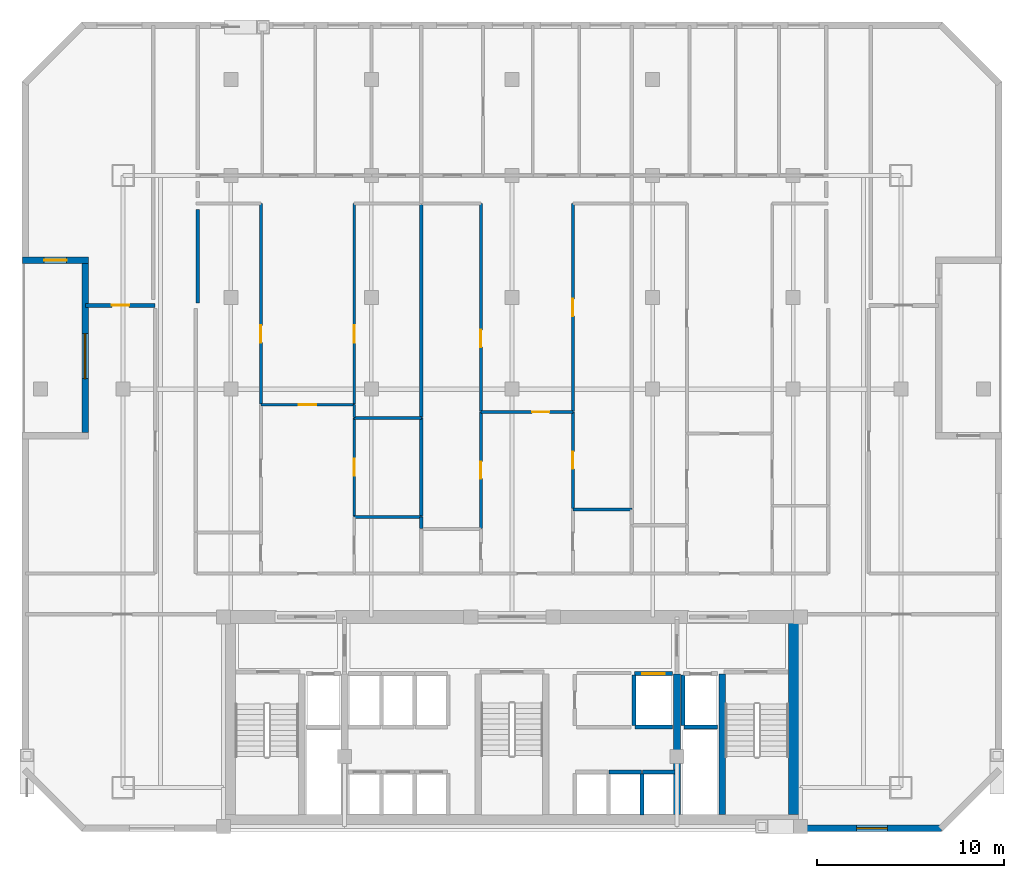
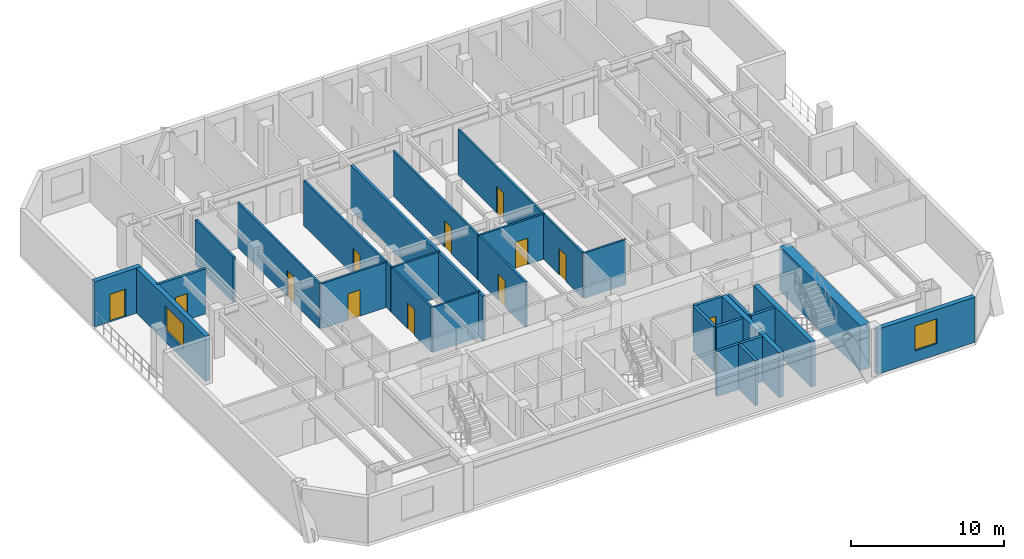
# One storey, part 4 of 10: 32 walls, 12 doors, 2 windows, 14 openings.
"""IFC4 building model written with IfcOpenShell, lengths in metres."""

import ifcopenshell
import ifcopenshell.guid

model = None  # the IFC model being written
_history = None  # IfcOwnerHistory: only IFC2X3 demands one
_inside = {}  # id of a spatial element -> (the spatial element, [elements in it])
_under = {}  # id of a project, library or spatial element -> (it, [spatial elements below it])
_declared = {}  # id of a project -> (the project, [libraries it declares])
_typed = {}  # id of a type object -> (the type object, [elements of that type])
_made_of = {}  # id of a material, layer set ... -> (it, [elements and type objects made of it])


def new_model(schema):
    """Start an empty IFC model of exactly this schema.

    Asked for "IFC4X3", IfcOpenShell would pick the latest addendum, in which some entities
    have other attributes; the version numbers below select the first issue.
    IFC2X3 requires an IfcOwnerHistory on every rooted entity: one is made here for all.
    """
    global model, _history
    if schema == "IFC4X3":
        model = ifcopenshell.file(schema_version=(4, 3, 0, 0))
    else:
        model = ifcopenshell.file(schema=schema)
    _inside.clear()
    _under.clear()
    _declared.clear()
    _typed.clear()
    _made_of.clear()
    _history = None
    if model.schema == "IFC2X3":
        org = make("IfcOrganization", Name="unknown")
        user = make(
            "IfcPersonAndOrganization",
            ThePerson=make("IfcPerson", FamilyName="unknown"),
            TheOrganization=org,
        )
        app = make(
            "IfcApplication",
            ApplicationDeveloper=org,
            Version="unknown",
            ApplicationFullName="unknown",
            ApplicationIdentifier="unknown",
        )
        _history = make(
            "IfcOwnerHistory",
            OwningUser=user,
            OwningApplication=app,
            ChangeAction="ADDED",
            CreationDate=0,
        )
    return model


def make(cls, **values):
    """One entity of the class cls with the attributes given. An attribute that is None is left unset."""
    return model.create_entity(
        cls, **{name: value for name, value in values.items() if value is not None}
    )


def rooted(cls, **values):
    """An entity with a GlobalId (a new one), such as an element, a storey or a relation."""
    return make(cls, GlobalId=ifcopenshell.guid.new(), OwnerHistory=_history, **values)


def si_unit(unit_type, name, prefix=None):
    """IfcSIUnit, for example si_unit("LENGTHUNIT", "METRE", prefix="MILLI")."""
    return make("IfcSIUnit", UnitType=unit_type, Prefix=prefix, Name=name)


def assignment(units):
    """IfcUnitAssignment: the units of a project."""
    return None if units is None else make("IfcUnitAssignment", Units=units)


def point(xyz):
    """IfcCartesianPoint."""
    return None if xyz is None else make("IfcCartesianPoint", Coordinates=xyz)


def direction(xyz):
    """IfcDirection."""
    return None if xyz is None else make("IfcDirection", DirectionRatios=xyz)


def frame(location, z_axis=None, x_axis=None):
    """IfcAxis2Placement3D, a coordinate frame: its origin and axes. An axis left out is left unset."""
    return make(
        "IfcAxis2Placement3D",
        Location=point(location),
        Axis=direction(z_axis),
        RefDirection=direction(x_axis),
    )


def frame_2d(location, x_axis=None):
    """IfcAxis2Placement2D, a coordinate frame in the plane: its origin and x axis."""
    return make(
        "IfcAxis2Placement2D", Location=point(location), RefDirection=direction(x_axis)
    )


def origin():
    """The frame at (0, 0, 0) with its axes left unset."""
    return frame((0.0, 0.0, 0.0))


def place(relative_to, where):
    """IfcLocalPlacement: puts the frame where relative to a parent placement (None: the world)."""
    return make(
        "IfcLocalPlacement", PlacementRelTo=relative_to, RelativePlacement=where
    )


def context(
    kind, dimensions, precision=None, world=None, true_north=None, identifier=None
):
    """IfcGeometricRepresentationContext, for example the 3D "Model" context."""
    return make(
        "IfcGeometricRepresentationContext",
        ContextIdentifier=identifier,
        ContextType=kind,
        CoordinateSpaceDimension=dimensions,
        Precision=precision,
        WorldCoordinateSystem=world,
        TrueNorth=true_north,
    )


def subcontext(parent, identifier, kind, view, scale=None):
    """IfcGeometricRepresentationSubContext, for example "Body" below "Model"."""
    return make(
        "IfcGeometricRepresentationSubContext",
        ContextIdentifier=identifier,
        ContextType=kind,
        ParentContext=parent,
        TargetScale=scale,
        TargetView=view,
    )


def project(units=None, contexts=None):
    """IfcProject with its units and contexts."""
    return rooted(
        "IfcProject",
        Name="project",
        RepresentationContexts=contexts,
        UnitsInContext=assignment(units),
    )


def spatial(cls, under=None, at=None, **own):
    """A site, building, storey or space (cls), placed at a placement, below another one or the project."""
    s = rooted(cls, ObjectPlacement=at, **own)
    if under is not None:
        _under.setdefault(under.id(), (under, []))[1].append(s)
    return s


def profile(cls, at=None, kind="AREA", **sizes):
    """A parametric profile (cls). Its sizes go by their IFC names, for example OverallWidth=200.0."""
    return make(cls, ProfileType=kind, Position=at, **sizes)


def rectangle(**sizes):
    """IfcRectangleProfileDef."""
    return profile("IfcRectangleProfileDef", **sizes)


def extrude(swept, where, along, depth):
    """IfcExtrudedAreaSolid: the profile swept, set in the frame where, extruded along a direction by depth."""
    return make(
        "IfcExtrudedAreaSolid",
        SweptArea=swept,
        Position=where,
        ExtrudedDirection=direction(along),
        Depth=depth,
    )


def shape(context_of_items, identifier, shape_type, items):
    """IfcShapeRepresentation: the items that make up one representation, for example the "Body"."""
    return make(
        "IfcShapeRepresentation",
        ContextOfItems=context_of_items,
        RepresentationIdentifier=identifier,
        RepresentationType=shape_type,
        Items=items,
    )


def material(Name=None, Category=None):
    """IfcMaterial."""
    return make("IfcMaterial", Name=Name, Category=Category)


def layer(
    of_material, thickness, ventilated=None, Name=None, Category=None, Priority=None
):
    """IfcMaterialLayer: one layer of a wall or slab, of a material (None: an air gap)."""
    return make(
        "IfcMaterialLayer",
        Material=of_material,
        LayerThickness=thickness,
        IsVentilated=ventilated,
        Name=Name,
        Category=Category,
        Priority=Priority,
    )


def layer_set(layers, Name=None):
    """IfcMaterialLayerSet."""
    return make("IfcMaterialLayerSet", MaterialLayers=layers, LayerSetName=Name)


def made_of(thing, what):
    """Note that an element or type object is made of a material, layer set ...; save() writes the relation."""
    if what is not None:
        _made_of.setdefault(what.id(), (what, []))[1].append(thing)
    return thing


def type_object(cls, material=None, **own):
    """A type object (cls), such as IfcWallType, which elements share."""
    return made_of(rooted(cls, **own), material)


def element(
    cls,
    number,
    at=None,
    inside=None,
    cuts=None,
    type_object=None,
    material=None,
    context=None,
    identifier="Body",
    shape_type=None,
    held_by="IfcProductDefinitionShape",
    body=None,
    shapes=None,
    **own,
):
    """One element of the class cls, such as IfcWall. Its Tag is "e" and its number.

    at: its placement. inside: the storey or other place that contains it. cuts: it is an
    opening in that element (IfcRelVoidsElement). A single representation is given by context,
    identifier, shape_type and body (its items); several are given by shapes. held_by: the class
    of the entity that holds the representations. save() writes the other relations.
    """
    e = rooted(cls, Tag="e%d" % number, ObjectPlacement=at, **own)
    if body is not None:
        shapes = [shape(context, identifier, shape_type, body)]
    if shapes is not None:
        e.Representation = make(held_by, Representations=shapes)
    if inside is not None:
        _inside.setdefault(inside.id(), (inside, []))[1].append(e)
    if cuts is not None:
        rooted(
            "IfcRelVoidsElement", RelatingBuildingElement=cuts, RelatedOpeningElement=e
        )
    if type_object is not None:
        _typed.setdefault(type_object.id(), (type_object, []))[1].append(e)
    return made_of(e, material)


def fill(opening, filler):
    """IfcRelFillsElement: the door or window that sits in an opening."""
    return rooted(
        "IfcRelFillsElement",
        RelatingOpeningElement=opening,
        RelatedBuildingElement=filler,
    )


def aggregate(whole, parts):
    """IfcRelAggregates: a whole, such as a stair, and the parts it consists of."""
    return rooted("IfcRelAggregates", RelatingObject=whole, RelatedObjects=parts)


def save(model, path):
    """Write the relations noted so far, then the file.

    IfcRelAggregates (storeys below a building ...), IfcRelContainedInSpatialStructure (elements
    in a storey), IfcRelDefinesByType, IfcRelAssociatesMaterial and IfcRelDeclares: one each for
    every whole, place, type object, material and project.
    """
    for whole, parts in _under.values():
        aggregate(whole, parts)
    for where, things in _inside.values():
        rooted(
            "IfcRelContainedInSpatialStructure",
            RelatedElements=things,
            RelatingStructure=where,
        )
    for kind, things in _typed.values():
        rooted("IfcRelDefinesByType", RelatedObjects=things, RelatingType=kind)
    for what, things in _made_of.values():
        rooted("IfcRelAssociatesMaterial", RelatedObjects=things, RelatingMaterial=what)
    for by, libraries in _declared.values():
        rooted("IfcRelDeclares", RelatingContext=by, RelatedDefinitions=libraries)
    model.write(path)


model = new_model("IFC4")

# Units and contexts
model_context = context("Model", 3, precision=1e-05, world=origin(), true_north=direction((0.0, 1.0)))
body_context = subcontext(model_context, "Body", "Model", "MODEL_VIEW")
ifc_project = project(units=[si_unit("LENGTHUNIT", "METRE"), si_unit("AREAUNIT", "SQUARE_METRE"), si_unit("VOLUMEUNIT", "CUBIC_METRE"), si_unit("PLANEANGLEUNIT", "RADIAN"), si_unit("MASSUNIT", "GRAM", prefix="KILO")], contexts=[model_context])

# Site, building, storey
site_placement = place(None, origin())
site = spatial("IfcSite", under=ifc_project, at=site_placement, CompositionType="ELEMENT")
building_placement = place(site_placement, origin())
building = spatial("IfcBuilding", under=site, at=building_placement, Name="Ventersveld Concourse Tower", CompositionType="ELEMENT")
storey_placement = place(building_placement, frame((0.0, 0.0, 123.39990234375)))
storey = spatial("IfcBuildingStorey", under=building, at=storey_placement, Name="L30", CompositionType="ELEMENT", Elevation=123.39990234375)

# Walls
ifc_material_1 = material(Name="Concrete C60/75", Category="concrete")
ifc_layer_1 = layer(ifc_material_1, 0.35009765625)
ifc_layer_set_1 = layer_set([ifc_layer_1], Name="Concrete C60/75")
wall_type_1 = type_object("IfcWallType", Name="WL-CORE-350L", PredefinedType="SHEAR", material=ifc_layer_set_1)
for number, where, z_axis, x_axis, name in (
    (1, (37.550048828125, 0.919921875, 0.0), (0.0, 0.0, 1.0), (0.0, 1.0, 0.0), "L30 Core Internal Shear Web W-SVL-W"),
    (2, (39.9599609375, 0.919921875, 0.0), (0.0, 0.0, 1.0), (0.0, 1.0, 0.0), "L30 Core Internal Shear Web W-ST2-W"),
):
    element("IfcWall", number, at=place(storey_placement, frame(where, z_axis=z_axis, x_axis=x_axis)), inside=storey, type_object=wall_type_1, Name=name, PredefinedType="SHEAR", context=body_context, shape_type="SweptSolid", body=[
        extrude(rectangle(XDim=7.5, YDim=0.35009765625, at=frame_2d((3.75, 0.0))), origin(), (0.0, 0.0, 1.0), 3.60009765625),
    ])
ifc_layer_2 = layer(ifc_material_1, 0.699951171875)
ifc_layer_set_2 = layer_set([ifc_layer_2], Name="Concrete C60/75")
wall_type_2 = type_object("IfcWallType", Name="WL-CORE-700", PredefinedType="SHEAR", material=ifc_layer_set_2)
wall_1_placement = place(storey_placement, frame((43.85009765625, 0.919921875, 0.0), z_axis=(0.0, 0.0, 1.0), x_axis=(0.0, 1.0, 0.0)))
element("IfcWall", 3, at=wall_1_placement, inside=storey, type_object=wall_type_2, Name="L30 Rear Core East Shear Wall", PredefinedType="SHEAR", context=body_context, shape_type="SweptSolid", body=[
    extrude(rectangle(XDim=10.530029296875, YDim=0.699951171875, at=frame_2d((5.26513671875, 0.0))), origin(), (0.0, 0.0, 1.0), 3.60009765625),
])
ifc_material_2 = material(Name="Fire-rated autoclaved aerated masonry blockwork", Category="masonry")
ifc_layer_3 = layer(ifc_material_2, 0.179931640625)
ifc_layer_set_3 = layer_set([ifc_layer_3], Name="Fire-rated autoclaved aerated masonry blockwork")
wall_type_3 = type_object("IfcWallType", Name="WL-CORR-180", PredefinedType="PARTITIONING", material=ifc_layer_set_3)
wall_2_placement = place(storey_placement, frame((11.97998046875, 28.2099609375, 0.0), z_axis=(0.0, 0.0, 1.0), x_axis=(0.0, 1.0, 0.0)))
element("IfcWall", 4, at=wall_2_placement, inside=storey, type_object=wall_type_3, Name="L30 Room Enclosure Wall SP-L30-30N1-OFFL0", PredefinedType="PARTITIONING", context=body_context, shape_type="SweptSolid", body=[
    extrude(rectangle(XDim=4.965087890625, YDim=0.179931640625, at=frame_2d((2.482421875, 0.0))), origin(), (0.0, 0.0, 1.0), 3.60009765625),
])

# Wall, opening, door
ifc_layer_4 = layer(ifc_material_2, 0.199951171875)
ifc_layer_set_4 = layer_set([ifc_layer_4], Name="Fire-rated autoclaved aerated masonry blockwork")
wall_type_4 = type_object("IfcWallType", Name="WL-DEMISE-200", PredefinedType="PARTITIONING", material=ifc_layer_set_4)
wall_3_placement = place(storey_placement, frame((6.010009765625, 28.070068359375, 0.0), z_axis=(0.0, 0.0, 1.0), x_axis=(1.0, 0.0, 0.0)))
wall_3 = element("IfcWall", 5, at=wall_3_placement, inside=storey, type_object=wall_type_4, Name="L30 Interior Partition SP-L30-NWLNG1-SP-L30-NWLNG2", PredefinedType="PARTITIONING", context=body_context, shape_type="SweptSolid", body=[
    extrude(rectangle(XDim=3.705078125, YDim=0.199951171875, at=frame_2d((1.8525390625, 0.0))), origin(), (0.0, 0.0, 1.0), 3.60009765625),
])
opening_1_placement = place(wall_3_placement, frame((1.392578125, 0.0, 0.0)))
opening_1 = element("IfcOpeningElement", 6, at=opening_1_placement, cuts=wall_3, Name="Opening ID1", PredefinedType="OPENING", context=body_context, shape_type="SweptSolid", body=[
    extrude(rectangle(XDim=0.919921875, YDim=2.10009765625, at=frame_2d((0.4599609375, 1.050048828125))), frame((0.0, 0.10986328125, 0.0), z_axis=(0.0, -1.0, 0.0), x_axis=(1.0, 0.0, 0.0)), (0.0, 0.0, 1.0), 0.219970703125),
])
ifc_material_3 = material(Name="Solid-core hardwood veneer timber", Category="wood")
door_type_1 = type_object("IfcDoorType", Name="DR-ROOM-092", OperationType="NOTDEFINED", PredefinedType="DOOR", material=ifc_material_3)
door_1_placement = place(opening_1_placement, origin())
door_1 = element("IfcDoor", 7, at=door_1_placement, inside=storey, type_object=door_type_1, Name="L30 Interior Door SP-L30-NWLNG1 to SP-L30-NWLNG2 (D-L30-1498)", OperationType="SINGLE_SWING_RIGHT", OverallHeight=2.10009765625, OverallWidth=0.919921875, PredefinedType="DOOR", context=body_context, shape_type="SweptSolid", body=[
    extrude(rectangle(XDim=0.919921875, YDim=2.10009765625, at=frame_2d((0.4599609375, 1.050048828125))), frame((0.0, 0.02490234375, 0.0), z_axis=(0.0, -1.0, 0.0), x_axis=(1.0, 0.0, 0.0)), (0.0, 0.0, 1.0), 0.050048828125),
])
fill(opening_1, door_1)

# Walls
wall_4_placement = place(storey_placement, frame((23.904296875, 16.17822265625, 0.0), z_axis=(0.0, 0.0, 1.0), x_axis=(0.0, 1.0, 0.0)))
element("IfcWall", 8, at=wall_4_placement, inside=storey, type_object=wall_type_4, Name="L30 Interior Partition SP-L30-30N1-KIT-SP-L30-30N2-OFFL0", PredefinedType="PARTITIONING", context=body_context, shape_type="SweptSolid", body=[
    extrude(rectangle(XDim=0.61181640625, YDim=0.199951171875, at=frame_2d((0.305908203125, 0.0))), origin(), (0.0, 0.0, 1.0), 3.60009765625),
])
wall_5_placement = place(storey_placement, frame((23.904296875, 16.820068359375, 0.0), z_axis=(0.0, 0.0, 1.0), x_axis=(0.0, 1.0, 0.0)))
element("IfcWall", 9, at=wall_5_placement, inside=storey, type_object=wall_type_4, Name="L30 Interior Partition SP-L30-30N1-SEMR1-SP-L30-30N2-OFFL0", PredefinedType="PARTITIONING", context=body_context, shape_type="SweptSolid", body=[
    extrude(rectangle(XDim=5.24658203125, YDim=0.199951171875, at=frame_2d((2.623291015625, 0.0))), origin(), (0.0, 0.0, 1.0), 3.60009765625),
])
wall_6_placement = place(storey_placement, frame((23.904296875, 22.0966796875, 0.0), z_axis=(0.0, 0.0, 1.0), x_axis=(0.0, 1.0, 0.0)))
element("IfcWall", 10, at=wall_6_placement, inside=storey, type_object=wall_type_4, Name="L30 Interior Partition SP-L30-30N1-DENS-SP-L30-30N2-OFFL0", PredefinedType="PARTITIONING", context=body_context, shape_type="SweptSolid", body=[
    extrude(rectangle(XDim=11.368408203125, YDim=0.199951171875, at=frame_2d((5.68408203125, 0.0))), origin(), (0.0, 0.0, 1.0), 3.60009765625),
])
ifc_layer_5 = layer(ifc_material_2, 0.219970703125)
ifc_layer_set_5 = layer_set([ifc_layer_5], Name="Fire-rated autoclaved aerated masonry blockwork")
wall_type_5 = type_object("IfcWallType", Name="WL-HOIST-220", PredefinedType="SOLIDWALL", material=ifc_layer_set_5)
wall_7_placement = place(storey_placement, frame((37.919921875, 5.590087890625, 0.0), z_axis=(0.0, 0.0, 1.0), x_axis=(1.0, 0.0, 0.0)))
element("IfcWall", 11, at=wall_7_placement, inside=storey, type_object=wall_type_5, Name="L30 Lift Hoistway Back Wall FFL-02", PredefinedType="SOLIDWALL", context=body_context, shape_type="SweptSolid", body=[
    extrude(rectangle(XDim=1.780029296875, YDim=0.219970703125, at=frame_2d((0.89013671875, 0.0))), origin(), (0.0, 0.0, 1.0), 3.60009765625),
])
wall_8_placement = place(storey_placement, frame((37.8798828125, 5.64990234375, 0.0), z_axis=(0.0, 0.0, 1.0), x_axis=(0.0, 1.0, 0.0)))
element("IfcWall", 12, at=wall_8_placement, inside=storey, type_object=wall_type_5, Name="L30 Lift Hoistway Side Wall FFL-02W", PredefinedType="SOLIDWALL", context=body_context, shape_type="SweptSolid", body=[
    extrude(rectangle(XDim=2.7001953125, YDim=0.219970703125, at=frame_2d((1.35009765625, 0.0))), origin(), (0.0, 0.0, 1.0), 3.60009765625),
])
wall_9_placement = place(storey_placement, frame((35.300048828125, 5.590087890625, 0.0), z_axis=(0.0, 0.0, 1.0), x_axis=(1.0, 0.0, 0.0)))
element("IfcWall", 13, at=wall_9_placement, inside=storey, type_object=wall_type_5, Name="L30 Lift Hoistway Back Wall SVL-01", PredefinedType="SOLIDWALL", context=body_context, shape_type="SweptSolid", body=[
    extrude(rectangle(XDim=2.0, YDim=0.219970703125, at=frame_2d((1.0, 0.0))), origin(), (0.0, 0.0, 1.0), 3.60009765625),
])
wall_10_placement = place(storey_placement, frame((35.260009765625, 5.64990234375, 0.0), z_axis=(0.0, 0.0, 1.0), x_axis=(0.0, 1.0, 0.0)))
element("IfcWall", 14, at=wall_10_placement, inside=storey, type_object=wall_type_5, Name="L30 Lift Hoistway Side Wall SVL-01W", PredefinedType="SOLIDWALL", context=body_context, shape_type="SweptSolid", body=[
    extrude(rectangle(XDim=2.7001953125, YDim=0.219970703125, at=frame_2d((1.35009765625, 0.0))), origin(), (0.0, 0.0, 1.0), 3.60009765625),
])

# Wall, opening, door
wall_11_placement = place(storey_placement, frame((35.280029296875, 8.429931640625, 0.0), z_axis=(0.0, 0.0, 1.0), x_axis=(1.0, 0.0, 0.0)))
wall_11 = element("IfcWall", 15, at=wall_11_placement, inside=storey, type_object=wall_type_5, Name="L30 Lift Hoistway Front Wall SVL-01", PredefinedType="SOLIDWALL", context=body_context, shape_type="SweptSolid", body=[
    extrude(rectangle(XDim=2.0400390625, YDim=0.219970703125, at=frame_2d((1.02001953125, 0.0))), origin(), (0.0, 0.0, 1.0), 3.60009765625),
])
opening_2_placement = place(wall_11_placement, frame((0.429931640625, 0.0, 0.0)))
opening_2 = element("IfcOpeningElement", 16, at=opening_2_placement, cuts=wall_11, Name="Opening LD2", PredefinedType="OPENING", context=body_context, shape_type="SweptSolid", body=[
    extrude(rectangle(XDim=1.179931640625, YDim=2.199951171875, at=frame_2d((0.58984375, 1.10009765625))), frame((0.0, 0.1201171875, 0.0), z_axis=(0.0, -1.0, 0.0), x_axis=(1.0, 0.0, 0.0)), (0.0, 0.0, 1.0), 0.239990234375),
])
ifc_material_4 = material(Name="Brushed stainless steel 316", Category="steel")
door_type_2 = type_object("IfcDoorType", Name="LD-PAX-118", OperationType="SLIDING_TO_LEFT", PredefinedType="DOOR", material=ifc_material_4)
door_2_placement = place(opening_2_placement, origin())
door_2 = element("IfcDoor", 17, at=door_2_placement, inside=storey, type_object=door_type_2, Name="L30 Lift landing door SVL-01 (LD-L30-SVL-01)", OperationType="SLIDING_TO_LEFT", OverallHeight=2.199951171875, OverallWidth=1.179931640625, PredefinedType="DOOR", context=body_context, shape_type="SweptSolid", body=[
    extrude(rectangle(XDim=1.179931640625, YDim=2.199951171875, at=frame_2d((0.58984375, 1.10009765625))), frame((0.0, 0.02490234375, 0.0), z_axis=(0.0, -1.0, 0.0), x_axis=(1.0, 0.0, 0.0)), (0.0, 0.0, 1.0), 0.050048828125),
])
fill(opening_2, door_2)

# Walls
wall_12_placement = place(storey_placement, frame((35.679931640625, 0.89990234375, 0.0), z_axis=(0.0, 0.0, 1.0), x_axis=(0.0, 1.0, 0.0)))
element("IfcWall", 18, at=wall_12_placement, inside=storey, type_object=wall_type_5, Name="L30 Lift Hoistway Side Wall PM-02E", PredefinedType="SOLIDWALL", context=body_context, shape_type="SweptSolid", body=[
    extrude(rectangle(XDim=2.2001953125, YDim=0.219970703125, at=frame_2d((1.10009765625, 0.0))), origin(), (0.0, 0.0, 1.0), 3.60009765625),
])
for number, where, z_axis, x_axis, name in (
    (19, (33.919921875, 3.179931640625, 0.0), (0.0, 0.0, 1.0), (1.0, 0.0, 0.0), "L30 Lift Hoistway Front Wall PM-02"),
    (20, (35.699951171875, 3.179931640625, 0.0), (0.0, 0.0, 1.0), (1.0, 0.0, 0.0), "L30 Lift Hoistway Front Wall PM-03"),
):
    element("IfcWall", number, at=place(storey_placement, frame(where, z_axis=z_axis, x_axis=x_axis)), inside=storey, type_object=wall_type_5, Name=name, PredefinedType="SOLIDWALL", context=body_context, shape_type="SweptSolid", body=[
        extrude(rectangle(XDim=1.739990234375, YDim=0.219970703125, at=frame_2d((0.8701171875, 0.0))), origin(), (0.0, 0.0, 1.0), 3.60009765625),
    ])

# Wall, opening, door
ifc_material_5 = material(Name="Autoclaved aerated masonry blockwork", Category="masonry")
ifc_layer_6 = layer(ifc_material_5, 0.14990234375)
ifc_layer_set_6 = layer_set([ifc_layer_6], Name="Autoclaved aerated masonry blockwork")
wall_type_6 = type_object("IfcWallType", Name="WL-INT-150", PredefinedType="PARTITIONING", material=ifc_layer_set_6)
wall_13_placement = place(storey_placement, frame((15.352783203125, 22.767578125, 0.0), z_axis=(0.0, 0.0, 1.0), x_axis=(1.0, 0.0, 0.0)))
wall_13 = element("IfcWall", 21, at=wall_13_placement, inside=storey, type_object=wall_type_6, Name="L30 Interior Partition SP-L30-30N1-FOY-SP-L30-30N1-LIV", PredefinedType="PARTITIONING", context=body_context, shape_type="SweptSolid", body=[
    extrude(rectangle(XDim=4.990234375, YDim=0.14990234375, at=frame_2d((2.4951171875, 0.0))), origin(), (0.0, 0.0, 1.0), 3.60009765625),
])
opening_3_placement = place(wall_13_placement, frame((2.034912109375, 0.0, 0.0)))
opening_3 = element("IfcOpeningElement", 22, at=opening_3_placement, cuts=wall_13, Name="Opening ID1", PredefinedType="OPENING", context=body_context, shape_type="SweptSolid", body=[
    extrude(rectangle(XDim=0.919921875, YDim=2.10009765625, at=frame_2d((0.4599609375, 1.050048828125))), frame((0.0, 0.0849609375, 0.0), z_axis=(0.0, -1.0, 0.0), x_axis=(1.0, 0.0, 0.0)), (0.0, 0.0, 1.0), 0.169921875),
])
door_3_placement = place(opening_3_placement, origin())
door_3 = element("IfcDoor", 23, at=door_3_placement, inside=storey, type_object=door_type_1, Name="L30 Interior Door SP-L30-30N1-FOY to SP-L30-30N1-LIV (D-L30-1500)", OperationType="SINGLE_SWING_RIGHT", OverallHeight=2.10009765625, OverallWidth=0.919921875, PredefinedType="DOOR", context=body_context, shape_type="SweptSolid", body=[
    extrude(rectangle(XDim=0.919921875, YDim=2.10009765625, at=frame_2d((0.4599609375, 1.050048828125))), frame((0.0, 0.02490234375, 0.0), z_axis=(0.0, -1.0, 0.0), x_axis=(1.0, 0.0, 0.0)), (0.0, 0.0, 1.0), 0.050048828125),
])
fill(opening_3, door_3)

wall_14_placement = place(storey_placement, frame((20.337890625, 16.820068359375, 0.0), z_axis=(0.0, 0.0, 1.0), x_axis=(0.0, 1.0, 0.0)))
wall_14 = element("IfcWall", 24, at=wall_14_placement, inside=storey, type_object=wall_type_6, Name="L30 Interior Partition SP-L30-30N1-FOY-SP-L30-30N1-SEMR1", PredefinedType="PARTITIONING", context=body_context, shape_type="SweptSolid", body=[
    extrude(rectangle(XDim=5.24658203125, YDim=0.14990234375, at=frame_2d((2.623291015625, 0.0))), origin(), (0.0, 0.0, 1.0), 3.60009765625),
])
opening_4_placement = place(wall_14_placement, frame((2.163330078125, 0.0, 0.0)))
opening_4 = element("IfcOpeningElement", 25, at=opening_4_placement, cuts=wall_14, Name="Opening ID1", PredefinedType="OPENING", context=body_context, shape_type="SweptSolid", body=[
    extrude(rectangle(XDim=0.919921875, YDim=2.10009765625, at=frame_2d((0.4599609375, 1.050048828125))), frame((0.0, 0.0849609375, 0.0), z_axis=(0.0, -1.0, 0.0), x_axis=(1.0, 0.0, 0.0)), (0.0, 0.0, 1.0), 0.169921875),
])
door_4_placement = place(opening_4_placement, origin())
door_4 = element("IfcDoor", 26, at=door_4_placement, inside=storey, type_object=door_type_1, Name="L30 Interior Door SP-L30-30N1-FOY to SP-L30-30N1-SEMR1 (D-L30-1504)", OperationType="SINGLE_SWING_RIGHT", OverallHeight=2.10009765625, OverallWidth=0.919921875, PredefinedType="DOOR", context=body_context, shape_type="SweptSolid", body=[
    extrude(rectangle(XDim=0.919921875, YDim=2.10009765625, at=frame_2d((0.4599609375, 1.050048828125))), frame((0.0, 0.02490234375, 0.0), z_axis=(0.0, -1.0, 0.0), x_axis=(1.0, 0.0, 0.0)), (0.0, 0.0, 1.0), 0.050048828125),
])
fill(opening_4, door_4)

# Wall
wall_15_placement = place(storey_placement, frame((20.337890625, 22.0966796875, 0.0), z_axis=(0.0, 0.0, 1.0), x_axis=(0.0, 1.0, 0.0)))
element("IfcWall", 27, at=wall_15_placement, inside=storey, type_object=wall_type_6, Name="L30 Interior Partition SP-L30-30N1-FOY-SP-L30-30N1-DENS", PredefinedType="PARTITIONING", context=body_context, shape_type="SweptSolid", body=[
    extrude(rectangle(XDim=0.676025390625, YDim=0.14990234375, at=frame_2d((0.337890625, 0.0))), origin(), (0.0, 0.0, 1.0), 3.60009765625),
])

# Wall, opening, door
wall_16_placement = place(storey_placement, frame((15.35791015625, 22.802734375, 0.0), z_axis=(0.0, 0.0, 1.0), x_axis=(0.0, 1.0, 0.0)))
wall_16 = element("IfcWall", 28, at=wall_16_placement, inside=storey, type_object=wall_type_6, Name="L30 Interior Partition SP-L30-30N1-LIV-SP-L30-30N1-OFFL0", PredefinedType="PARTITIONING", context=body_context, shape_type="SweptSolid", body=[
    extrude(rectangle(XDim=10.7021484375, YDim=0.14990234375, at=frame_2d((5.35107421875, 0.0))), origin(), (0.0, 0.0, 1.0), 3.60009765625),
])
opening_5_placement = place(wall_16_placement, frame((3.285888671875, 0.0, 0.0)))
opening_5 = element("IfcOpeningElement", 29, at=opening_5_placement, cuts=wall_16, Name="Opening ID1", PredefinedType="OPENING", context=body_context, shape_type="SweptSolid", body=[
    extrude(rectangle(XDim=0.919921875, YDim=2.10009765625, at=frame_2d((0.4599609375, 1.050048828125))), frame((0.0, 0.0849609375, 0.0), z_axis=(0.0, -1.0, 0.0), x_axis=(1.0, 0.0, 0.0)), (0.0, 0.0, 1.0), 0.169921875),
])
door_5_placement = place(opening_5_placement, origin())
door_5 = element("IfcDoor", 30, at=door_5_placement, inside=storey, type_object=door_type_1, Name="L30 Interior Door SP-L30-30N1-LIV to SP-L30-30N1-OFFL0 (D-L30-1505)", OperationType="SINGLE_SWING_LEFT", OverallHeight=2.10009765625, OverallWidth=0.919921875, PredefinedType="DOOR", context=body_context, shape_type="SweptSolid", body=[
    extrude(rectangle(XDim=0.919921875, YDim=2.10009765625, at=frame_2d((0.4599609375, 1.050048828125))), frame((0.0, 0.02490234375, 0.0), z_axis=(0.0, -1.0, 0.0), x_axis=(1.0, 0.0, 0.0)), (0.0, 0.0, 1.0), 0.050048828125),
])
fill(opening_5, door_5)

wall_17_placement = place(storey_placement, frame((20.337890625, 22.802734375, 0.0), z_axis=(0.0, 0.0, 1.0), x_axis=(0.0, 1.0, 0.0)))
wall_17 = element("IfcWall", 31, at=wall_17_placement, inside=storey, type_object=wall_type_6, Name="L30 Interior Partition SP-L30-30N1-LIV-SP-L30-30N1-DENS", PredefinedType="PARTITIONING", context=body_context, shape_type="SweptSolid", body=[
    extrude(rectangle(XDim=10.7021484375, YDim=0.14990234375, at=frame_2d((5.35107421875, 0.0))), origin(), (0.0, 0.0, 1.0), 3.60009765625),
])
opening_6_placement = place(wall_17_placement, frame((3.285888671875, 0.0, 0.0)))
opening_6 = element("IfcOpeningElement", 32, at=opening_6_placement, cuts=wall_17, Name="Opening ID1", PredefinedType="OPENING", context=body_context, shape_type="SweptSolid", body=[
    extrude(rectangle(XDim=0.919921875, YDim=2.10009765625, at=frame_2d((0.4599609375, 1.050048828125))), frame((0.0, 0.0849609375, 0.0), z_axis=(0.0, -1.0, 0.0), x_axis=(1.0, 0.0, 0.0)), (0.0, 0.0, 1.0), 0.169921875),
])
door_6_placement = place(opening_6_placement, origin())
door_6 = element("IfcDoor", 33, at=door_6_placement, inside=storey, type_object=door_type_1, Name="L30 Interior Door SP-L30-30N1-LIV to SP-L30-30N1-DENS (D-L30-1506)", OperationType="SINGLE_SWING_RIGHT", OverallHeight=2.10009765625, OverallWidth=0.919921875, PredefinedType="DOOR", context=body_context, shape_type="SweptSolid", body=[
    extrude(rectangle(XDim=0.919921875, YDim=2.10009765625, at=frame_2d((0.4599609375, 1.050048828125))), frame((0.0, 0.02490234375, 0.0), z_axis=(0.0, -1.0, 0.0), x_axis=(1.0, 0.0, 0.0)), (0.0, 0.0, 1.0), 0.050048828125),
])
fill(opening_6, door_6)

# Walls
for number, where, z_axis, x_axis, name in (
    (34, (20.3330078125, 16.784912109375, 0.0), (0.0, 0.0, 1.0), (1.0, 0.0, 0.0), "L30 Interior Partition SP-L30-30N1-KIT-SP-L30-30N1-SEMR1"),
    (35, (20.3330078125, 22.061767578125, 0.0), (0.0, 0.0, 1.0), (1.0, 0.0, 0.0), "L30 Interior Partition SP-L30-30N1-SEMR1-SP-L30-30N1-DENS"),
):
    element("IfcWall", number, at=place(storey_placement, frame(where, z_axis=z_axis, x_axis=x_axis)), inside=storey, type_object=wall_type_6, Name=name, PredefinedType="PARTITIONING", context=body_context, shape_type="SweptSolid", body=[
        extrude(rectangle(XDim=3.576171875, YDim=0.14990234375, at=frame_2d((1.7880859375, 0.0))), origin(), (0.0, 0.0, 1.0), 3.60009765625),
    ])

# Wall, opening, door
wall_18_placement = place(storey_placement, frame((27.08837890625, 22.384521484375, 0.0), z_axis=(0.0, 0.0, 1.0), x_axis=(1.0, 0.0, 0.0)))
wall_18 = element("IfcWall", 36, at=wall_18_placement, inside=storey, type_object=wall_type_6, Name="L30 Interior Partition SP-L30-30N2-FOY-SP-L30-30N2-LIV", PredefinedType="PARTITIONING", context=body_context, shape_type="SweptSolid", body=[
    extrude(rectangle(XDim=4.917724609375, YDim=0.14990234375, at=frame_2d((2.458984375, 0.0))), origin(), (0.0, 0.0, 1.0), 3.60009765625),
])
opening_7_placement = place(wall_18_placement, frame((2.736328125, 0.0, 0.0)))
opening_7 = element("IfcOpeningElement", 37, at=opening_7_placement, cuts=wall_18, Name="Opening ID1", PredefinedType="OPENING", context=body_context, shape_type="SweptSolid", body=[
    extrude(rectangle(XDim=0.919921875, YDim=2.10009765625, at=frame_2d((0.4599609375, 1.050048828125))), frame((0.0, 0.0849609375, 0.0), z_axis=(0.0, -1.0, 0.0), x_axis=(1.0, 0.0, 0.0)), (0.0, 0.0, 1.0), 0.169921875),
])
door_7_placement = place(opening_7_placement, origin())
door_7 = element("IfcDoor", 38, at=door_7_placement, inside=storey, type_object=door_type_1, Name="L30 Interior Door SP-L30-30N2-FOY to SP-L30-30N2-LIV (D-L30-1511)", OperationType="SINGLE_SWING_LEFT", OverallHeight=2.10009765625, OverallWidth=0.919921875, PredefinedType="DOOR", context=body_context, shape_type="SweptSolid", body=[
    extrude(rectangle(XDim=0.919921875, YDim=2.10009765625, at=frame_2d((0.4599609375, 1.050048828125))), frame((0.0, 0.02490234375, 0.0), z_axis=(0.0, -1.0, 0.0), x_axis=(1.0, 0.0, 0.0)), (0.0, 0.0, 1.0), 0.050048828125),
])
fill(opening_7, door_7)

wall_19_placement = place(storey_placement, frame((27.093505859375, 16.17822265625, 0.0), z_axis=(0.0, 0.0, 1.0), x_axis=(0.0, 1.0, 0.0)))
wall_19 = element("IfcWall", 39, at=wall_19_placement, inside=storey, type_object=wall_type_6, Name="L30 Interior Partition SP-L30-30N2-FOY-SP-L30-30N2-OFFL0", PredefinedType="PARTITIONING", context=body_context, shape_type="SweptSolid", body=[
    extrude(rectangle(XDim=6.211181640625, YDim=0.14990234375, at=frame_2d((3.10546875, 0.0))), origin(), (0.0, 0.0, 1.0), 3.60009765625),
])
opening_8_placement = place(wall_19_placement, frame((2.6455078125, 0.0, 0.0)))
opening_8 = element("IfcOpeningElement", 40, at=opening_8_placement, cuts=wall_19, Name="Opening ID1", PredefinedType="OPENING", context=body_context, shape_type="SweptSolid", body=[
    extrude(rectangle(XDim=0.919921875, YDim=2.10009765625, at=frame_2d((0.4599609375, 1.050048828125))), frame((0.0, 0.0849609375, 0.0), z_axis=(0.0, -1.0, 0.0), x_axis=(1.0, 0.0, 0.0)), (0.0, 0.0, 1.0), 0.169921875),
])
door_8_placement = place(opening_8_placement, origin())
door_8 = element("IfcDoor", 41, at=door_8_placement, inside=storey, type_object=door_type_1, Name="L30 Interior Door SP-L30-30N2-FOY to SP-L30-30N2-OFFL0 (D-L30-1513)", OperationType="SINGLE_SWING_LEFT", OverallHeight=2.10009765625, OverallWidth=0.919921875, PredefinedType="DOOR", context=body_context, shape_type="SweptSolid", body=[
    extrude(rectangle(XDim=0.919921875, YDim=2.10009765625, at=frame_2d((0.4599609375, 1.050048828125))), frame((0.0, 0.02490234375, 0.0), z_axis=(0.0, -1.0, 0.0), x_axis=(1.0, 0.0, 0.0)), (0.0, 0.0, 1.0), 0.050048828125),
])
fill(opening_8, door_8)

wall_20_placement = place(storey_placement, frame((32.0009765625, 17.224609375, 0.0), z_axis=(0.0, 0.0, 1.0), x_axis=(0.0, 1.0, 0.0)))
wall_20 = element("IfcWall", 42, at=wall_20_placement, inside=storey, type_object=wall_type_6, Name="L30 Interior Partition SP-L30-30N2-FOY-SP-L30-30N2-SEMR1", PredefinedType="PARTITIONING", context=body_context, shape_type="SweptSolid", body=[
    extrude(rectangle(XDim=5.164794921875, YDim=0.14990234375, at=frame_2d((2.58251953125, 0.0))), origin(), (0.0, 0.0, 1.0), 3.60009765625),
])
opening_9_placement = place(wall_20_placement, frame((2.122314453125, 0.0, 0.0)))
opening_9 = element("IfcOpeningElement", 43, at=opening_9_placement, cuts=wall_20, Name="Opening ID1", PredefinedType="OPENING", context=body_context, shape_type="SweptSolid", body=[
    extrude(rectangle(XDim=0.919921875, YDim=2.10009765625, at=frame_2d((0.4599609375, 1.050048828125))), frame((0.0, 0.0849609375, 0.0), z_axis=(0.0, -1.0, 0.0), x_axis=(1.0, 0.0, 0.0)), (0.0, 0.0, 1.0), 0.169921875),
])
door_9_placement = place(opening_9_placement, origin())
door_9 = element("IfcDoor", 44, at=door_9_placement, inside=storey, type_object=door_type_1, Name="L30 Interior Door SP-L30-30N2-FOY to SP-L30-30N2-SEMR1 (D-L30-1515)", OperationType="SINGLE_SWING_LEFT", OverallHeight=2.10009765625, OverallWidth=0.919921875, PredefinedType="DOOR", context=body_context, shape_type="SweptSolid", body=[
    extrude(rectangle(XDim=0.919921875, YDim=2.10009765625, at=frame_2d((0.4599609375, 1.050048828125))), frame((0.0, 0.02490234375, 0.0), z_axis=(0.0, -1.0, 0.0), x_axis=(1.0, 0.0, 0.0)), (0.0, 0.0, 1.0), 0.050048828125),
])
fill(opening_9, door_9)

wall_21_placement = place(storey_placement, frame((27.093505859375, 22.41943359375, 0.0), z_axis=(0.0, 0.0, 1.0), x_axis=(0.0, 1.0, 0.0)))
wall_21 = element("IfcWall", 45, at=wall_21_placement, inside=storey, type_object=wall_type_6, Name="L30 Interior Partition SP-L30-30N2-LIV-SP-L30-30N2-OFFL0", PredefinedType="PARTITIONING", context=body_context, shape_type="SweptSolid", body=[
    extrude(rectangle(XDim=11.08544921875, YDim=0.14990234375, at=frame_2d((5.542724609375, 0.0))), origin(), (0.0, 0.0, 1.0), 3.60009765625),
])
opening_10_placement = place(wall_21_placement, frame((3.419921875, 0.0, 0.0)))
opening_10 = element("IfcOpeningElement", 46, at=opening_10_placement, cuts=wall_21, Name="Opening ID1", PredefinedType="OPENING", context=body_context, shape_type="SweptSolid", body=[
    extrude(rectangle(XDim=0.919921875, YDim=2.10009765625, at=frame_2d((0.4599609375, 1.050048828125))), frame((0.0, 0.0849609375, 0.0), z_axis=(0.0, -1.0, 0.0), x_axis=(1.0, 0.0, 0.0)), (0.0, 0.0, 1.0), 0.169921875),
])
door_10_placement = place(opening_10_placement, origin())
door_10 = element("IfcDoor", 47, at=door_10_placement, inside=storey, type_object=door_type_1, Name="L30 Interior Door SP-L30-30N2-LIV to SP-L30-30N2-OFFL0 (D-L30-1516)", OperationType="SINGLE_SWING_RIGHT", OverallHeight=2.10009765625, OverallWidth=0.919921875, PredefinedType="DOOR", context=body_context, shape_type="SweptSolid", body=[
    extrude(rectangle(XDim=0.919921875, YDim=2.10009765625, at=frame_2d((0.4599609375, 1.050048828125))), frame((0.0, 0.02490234375, 0.0), z_axis=(0.0, -1.0, 0.0), x_axis=(1.0, 0.0, 0.0)), (0.0, 0.0, 1.0), 0.050048828125),
])
fill(opening_10, door_10)

wall_22_placement = place(storey_placement, frame((32.0009765625, 22.41943359375, 0.0), z_axis=(0.0, 0.0, 1.0), x_axis=(0.0, 1.0, 0.0)))
wall_22 = element("IfcWall", 48, at=wall_22_placement, inside=storey, type_object=wall_type_6, Name="L30 Interior Partition SP-L30-30N2-LIV-SP-L30-30N2-SEMR1", PredefinedType="PARTITIONING", context=body_context, shape_type="SweptSolid", body=[
    extrude(rectangle(XDim=11.08544921875, YDim=0.14990234375, at=frame_2d((5.542724609375, 0.0))), origin(), (0.0, 0.0, 1.0), 3.60009765625),
])
opening_11_placement = place(wall_22_placement, frame((5.082763671875, 0.0, 0.0)))
opening_11 = element("IfcOpeningElement", 49, at=opening_11_placement, cuts=wall_22, Name="Opening ID1", PredefinedType="OPENING", context=body_context, shape_type="SweptSolid", body=[
    extrude(rectangle(XDim=0.919921875, YDim=2.10009765625, at=frame_2d((0.4599609375, 1.050048828125))), frame((0.0, 0.0849609375, 0.0), z_axis=(0.0, -1.0, 0.0), x_axis=(1.0, 0.0, 0.0)), (0.0, 0.0, 1.0), 0.169921875),
])
door_11_placement = place(opening_11_placement, origin())
door_11 = element("IfcDoor", 50, at=door_11_placement, inside=storey, type_object=door_type_1, Name="L30 Interior Door SP-L30-30N2-LIV to SP-L30-30N2-SEMR1 (D-L30-1517)", OperationType="SINGLE_SWING_LEFT", OverallHeight=2.10009765625, OverallWidth=0.919921875, PredefinedType="DOOR", context=body_context, shape_type="SweptSolid", body=[
    extrude(rectangle(XDim=0.919921875, YDim=2.10009765625, at=frame_2d((0.4599609375, 1.050048828125))), frame((0.0, 0.02490234375, 0.0), z_axis=(0.0, -1.0, 0.0), x_axis=(1.0, 0.0, 0.0)), (0.0, 0.0, 1.0), 0.050048828125),
])
fill(opening_11, door_11)

# Wall
wall_23_placement = place(storey_placement, frame((31.99609375, 17.189697265625, 0.0), z_axis=(0.0, 0.0, 1.0), x_axis=(1.0, 0.0, 0.0)))
element("IfcWall", 51, at=wall_23_placement, inside=storey, type_object=wall_type_6, Name="L30 Interior Partition SP-L30-30N2-KIT-SP-L30-30N2-SEMR1", PredefinedType="PARTITIONING", context=body_context, shape_type="SweptSolid", body=[
    extrude(rectangle(XDim=3.153076171875, YDim=0.14990234375, at=frame_2d((1.57666015625, 0.0))), origin(), (0.0, 0.0, 1.0), 3.60009765625),
])

# Wall, opening, window
ifc_material_6 = material(Name="Precast concrete C45/55", Category="concrete")
ifc_layer_7 = layer(ifc_material_6, 0.35009765625)
ifc_layer_set_7 = layer_set([ifc_layer_7], Name="Precast concrete C45/55")
wall_type_7 = type_object("IfcWallType", Name="WL-PREC-350", PredefinedType="SOLIDWALL", material=ifc_layer_set_7)
wall_24_placement = place(storey_placement, frame((44.25, 0.179931640625, 0.0), z_axis=(0.0, 0.0, 1.0), x_axis=(1.0, 0.0, 0.0)))
wall_24 = element("IfcWall", 52, at=wall_24_placement, inside=storey, type_object=wall_type_7, Name="L30 South-East Flank Precast Wall", PredefinedType="SOLIDWALL", context=body_context, shape_type="SweptSolid", body=[
    extrude(rectangle(XDim=7.409912109375, YDim=0.35009765625, at=frame_2d((3.705078125, 0.0))), origin(), (0.0, 0.0, 1.0), 3.60009765625),
])
opening_12_placement = place(wall_24_placement, frame((2.8798828125, 0.0, 0.8798828125)))
opening_12 = element("IfcOpeningElement", 53, at=opening_12_placement, cuts=wall_24, Name="Opening W6", PredefinedType="OPENING", context=body_context, shape_type="SweptSolid", body=[
    extrude(rectangle(XDim=1.64990234375, YDim=2.0, at=frame_2d((0.824951171875, 1.0))), frame((0.0, 0.18505859375, 0.0), z_axis=(0.0, -1.0, 0.0), x_axis=(1.0, 0.0, 0.0)), (0.0, 0.0, 1.0), 0.3701171875),
])
ifc_material_7 = material(Name="Tempered acoustic Low-E IGU", Category="glass")
window_type_1 = type_object("IfcWindowType", Name="WIN-165x200", PartitioningType="SINGLE_PANEL", PredefinedType="WINDOW", material=ifc_material_7)
window_1_placement = place(opening_12_placement, origin())
window_1 = element("IfcWindow", 54, at=window_1_placement, inside=storey, type_object=window_type_1, Name="L30 Punched Low-E Window W-0378", OverallHeight=2.0, OverallWidth=1.64990234375, PartitioningType="SINGLE_PANEL", PredefinedType="WINDOW", context=body_context, shape_type="SweptSolid", body=[
    extrude(rectangle(XDim=1.64990234375, YDim=2.0, at=frame_2d((0.824951171875, 1.0))), frame((0.0, 0.030029296875, 0.0), z_axis=(0.0, -1.0, 0.0), x_axis=(1.0, 0.0, 0.0)), (0.0, 0.0, 1.0), 0.06005859375),
])
fill(opening_12, window_1)

# Wall, opening, door
wall_25_placement = place(storey_placement, frame((2.639892578125, 30.47509765625, 0.0), z_axis=(0.0, 0.0, 1.0), x_axis=(1.0, 0.0, 0.0)))
wall_25 = element("IfcWall", 55, at=wall_25_placement, inside=storey, type_object=wall_type_7, Name="L30 Highveld Precast Facade Wall E12", PredefinedType="SOLIDWALL", context=body_context, shape_type="SweptSolid", body=[
    extrude(rectangle(XDim=3.510009765625, YDim=0.35009765625, at=frame_2d((1.7548828125, 0.0))), origin(), (0.0, 0.0, 1.0), 3.60009765625),
])
opening_13_placement = place(wall_25_placement, frame((1.155029296875, 0.0, 0.0)))
opening_13 = element("IfcOpeningElement", 56, at=opening_13_placement, cuts=wall_25, Name="Opening TD1", PredefinedType="OPENING", context=body_context, shape_type="SweptSolid", body=[
    extrude(rectangle(XDim=1.199951171875, YDim=2.199951171875, at=frame_2d((0.60009765625, 1.10009765625))), frame((0.0, 0.18505859375, 0.0), z_axis=(0.0, -1.0, 0.0), x_axis=(1.0, 0.0, 0.0)), (0.0, 0.0, 1.0), 0.3701171875),
])
ifc_material_8 = material(Name="Anodised aluminium EN AW-6063-T6", Category="aluminium")
door_type_3 = type_object("IfcDoorType", Name="DR-TERR-120", OperationType="NOTDEFINED", PredefinedType="DOOR", material=ifc_material_8)
door_12_placement = place(opening_13_placement, frame((1.199951171875, 0.0, 0.0), z_axis=(0.0, 0.0, 1.0), x_axis=(-1.0, 0.0, 0.0)))
door_12 = element("IfcDoor", 57, at=door_12_placement, inside=storey, type_object=door_type_3, Name="L30 Stepped Valley Terrace Door TD-L30-01", OperationType="SINGLE_SWING_LEFT", OverallHeight=2.199951171875, OverallWidth=1.199951171875, PredefinedType="DOOR", context=body_context, shape_type="SweptSolid", body=[
    extrude(rectangle(XDim=1.199951171875, YDim=2.199951171875, at=frame_2d((0.60009765625, 1.10009765625))), frame((0.0, 0.02490234375, 0.0), z_axis=(0.0, -1.0, 0.0), x_axis=(1.0, 0.0, 0.0)), (0.0, 0.0, 1.0), 0.050048828125),
])
fill(opening_13, door_12)

# Wall, opening, window
wall_26_placement = place(storey_placement, frame((5.97509765625, 30.300048828125, 0.0), z_axis=(0.0, 0.0, 1.0), x_axis=(0.0, -1.0, 0.0)))
wall_26 = element("IfcWall", 58, at=wall_26_placement, inside=storey, type_object=wall_type_7, Name="L30 Highveld Precast Facade Wall E13", PredefinedType="SOLIDWALL", context=body_context, shape_type="SweptSolid", body=[
    extrude(rectangle(XDim=9.0, YDim=0.35009765625, at=frame_2d((4.5, 0.0))), origin(), (0.0, 0.0, 1.0), 3.60009765625),
])
opening_14_placement = place(wall_26_placement, frame((3.7314453125, 0.0, 0.85009765625)))
opening_14 = element("IfcOpeningElement", 59, at=opening_14_placement, cuts=wall_26, Name="Opening W5", PredefinedType="OPENING", context=body_context, shape_type="SweptSolid", body=[
    extrude(rectangle(XDim=2.39990234375, YDim=2.0, at=frame_2d((1.199951171875, 1.0))), frame((0.0, 0.18505859375, 0.0), z_axis=(0.0, -1.0, 0.0), x_axis=(1.0, 0.0, 0.0)), (0.0, 0.0, 1.0), 0.3701171875),
])
window_type_2 = type_object("IfcWindowType", Name="WIN-240x210", PartitioningType="SINGLE_PANEL", PredefinedType="WINDOW", material=ifc_material_7)
window_2_placement = place(opening_14_placement, origin())
window_2 = element("IfcWindow", 60, at=window_2_placement, inside=storey, type_object=window_type_2, Name="L30 Punched Low-E Window W-0379", OverallHeight=2.0, OverallWidth=2.39990234375, PartitioningType="SINGLE_PANEL", PredefinedType="WINDOW", context=body_context, shape_type="SweptSolid", body=[
    extrude(rectangle(XDim=2.39990234375, YDim=2.0, at=frame_2d((1.199951171875, 1.0))), frame((0.0, 0.030029296875, 0.0), z_axis=(0.0, -1.0, 0.0), x_axis=(1.0, 0.0, 0.0)), (0.0, 0.0, 1.0), 0.06005859375),
])
fill(opening_14, window_2)

save(model, "model.ifc")
